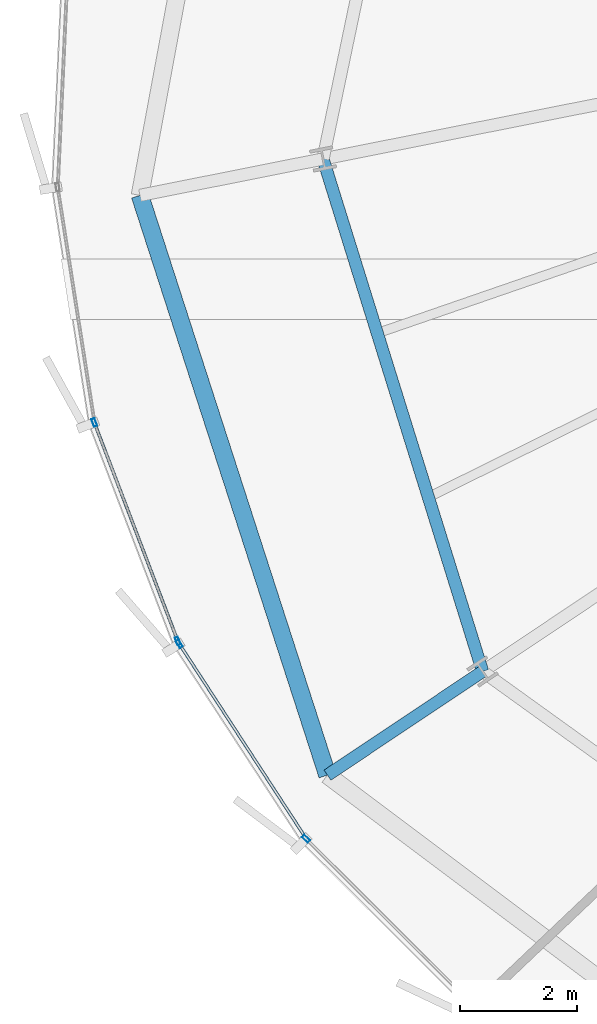
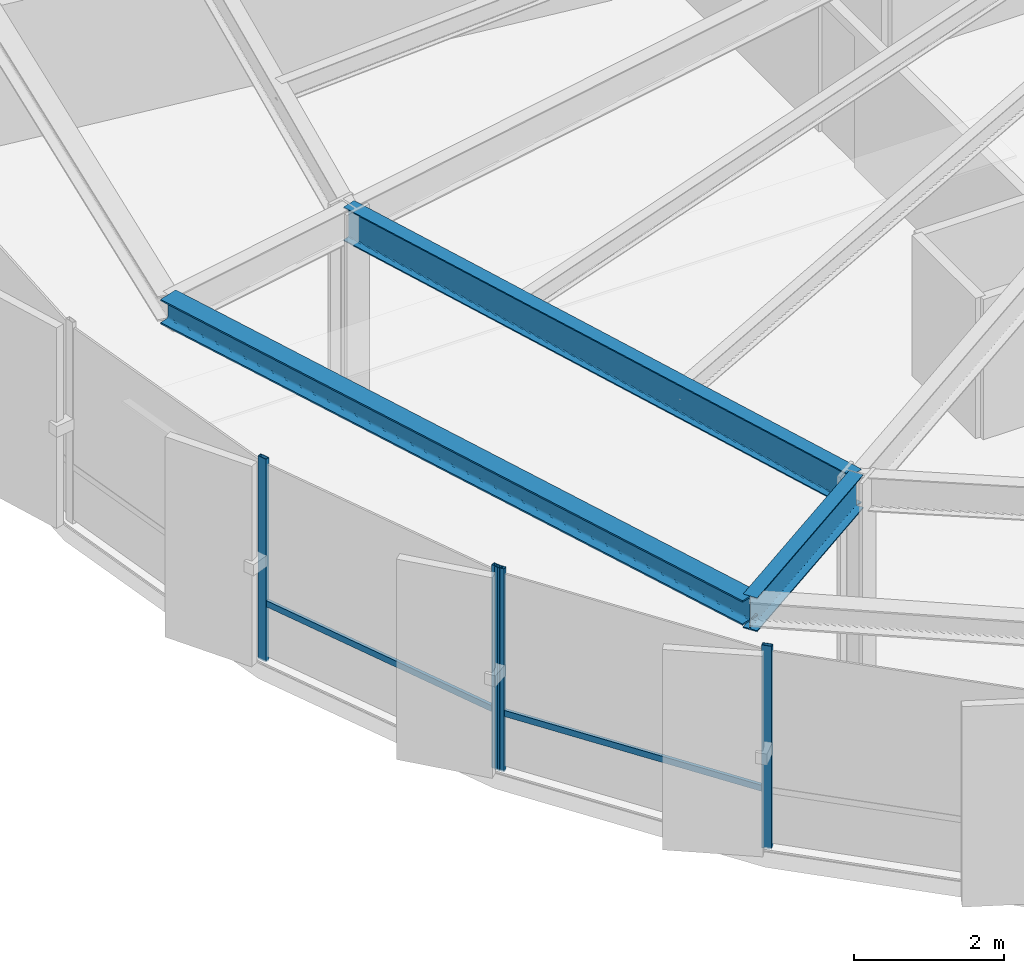
# One storey, part 3 of 36: 6 members, 3 beams, 2 elements without a shape of their own.
"""IFC4 building model written with IfcOpenShell, lengths in metres."""

from ifc_helpers import new_model, si_unit, direction, frame, origin, origin_2d, place, context, subcontext, project, spatial, hollow_rectangle, i_section, extrude, source, transform, mapped, material, layer, layer_set, material_profile, profile_set, type_object, element, aggregate, save


model = new_model("IFC4")

# Units and contexts
model_context = context("Model", 3, precision=1e-05, world=origin(), true_north=direction((0.0, 1.0)))
body_context = subcontext(model_context, "Body", "Model", "MODEL_VIEW")
ifc_project = project(units=[si_unit("LENGTHUNIT", "METRE"), si_unit("AREAUNIT", "SQUARE_METRE"), si_unit("VOLUMEUNIT", "CUBIC_METRE"), si_unit("PLANEANGLEUNIT", "RADIAN"), si_unit("MASSUNIT", "GRAM", prefix="KILO"), si_unit("THERMODYNAMICTEMPERATUREUNIT", "KELVIN")], contexts=[model_context])

# Site, building, storey
site_placement = place(None, origin())
site = spatial("IfcSite", under=ifc_project, at=site_placement, CompositionType="ELEMENT")
building_placement = place(site_placement, origin())
building = spatial("IfcBuilding", under=site, at=building_placement, Name="Kethvar Cultural Tower", CompositionType="ELEMENT")
storey_placement = place(building_placement, frame((0.0, 0.0, 143.0)))
storey = spatial("IfcBuildingStorey", under=building, at=storey_placement, Name="L36", CompositionType="ELEMENT", Elevation=143.0)

# Beams
ifc_material_1 = material(Name="Steel S355J2", Category="steel")
ifc_material_profile_1 = material_profile(ifc_material_1, i_section(OverallWidth=0.2099609375, OverallDepth=0.550048828125, WebThickness=0.010986328125, FlangeThickness=0.01708984375, FilletRadius=0.02392578125, at=origin_2d()), Name="Steel S355J2 — IPE550")
ifc_profile_set_1 = profile_set([ifc_material_profile_1], Name="Steel S355J2 — IPE550")
beam_type_1 = type_object("IfcBeamType", Name="BM-IPE550", PredefinedType="BEAM", material=ifc_profile_set_1)
shared_shape_1 = source(origin(), body_context, "Body", "SweptSolid", [
    extrude(i_section(OverallWidth=0.2099609375, OverallDepth=0.550048828125, WebThickness=0.010986328125, FlangeThickness=0.01708984375, FilletRadius=0.02392578125, at=origin_2d()), origin(), (0.0, 0.0, 1.0), 3.199951171875),
])
beam_1_placement = place(storey_placement, frame((26.920654296875, 14.51708984375, 3.02294921875), z_axis=(-0.831462943996, -0.555580212716, 0.0), x_axis=(0.555580212716, -0.831462943996, 0.0)))
element("IfcBeam", 1, at=beam_1_placement, inside=storey, type_object=beam_type_1, Name="L36 Perimeter Cantilever Beam RC-10", PredefinedType="BEAM", context=body_context, shape_type="MappedRepresentation", body=[
    mapped(shared_shape_1, transform((0.0, 0.0, 0.0), scale=1.0)),
])
shared_shape_2 = source(origin(), body_context, "Body", "SweptSolid", [
    extrude(i_section(OverallWidth=0.2099609375, OverallDepth=0.550048828125, WebThickness=0.010986328125, FlangeThickness=0.01708984375, FilletRadius=0.02392578125, at=origin_2d()), origin(), (0.0, 0.0, 1.0), 9.20068359375),
])
beam_2_placement = place(storey_placement, frame((24.185302734375, 23.3017578125, 3.02294921875), z_axis=(0.297298800285, -0.954784490526, 0.0), x_axis=(0.954784490526, 0.297298800285, 0.0)))
element("IfcBeam", 2, at=beam_2_placement, inside=storey, type_object=beam_type_1, Name="L36 Column Ring Tie Beam CR-09", PredefinedType="BEAM", context=body_context, shape_type="MappedRepresentation", body=[
    mapped(shared_shape_2, transform((0.0, 0.0, 0.0), scale=1.0)),
])
ifc_material_profile_2 = material_profile(ifc_material_1, i_section(OverallWidth=0.300048828125, OverallDepth=0.39990234375, WebThickness=0.013427734375, FlangeThickness=0.02392578125, FilletRadius=0.027099609375, at=origin_2d()), Name="Steel S355J2 — HEB400")
ifc_profile_set_2 = profile_set([ifc_material_profile_2], Name="Steel S355J2 — HEB400")
beam_type_2 = type_object("IfcBeamType", Name="BM-SP400", PredefinedType="SPANDREL", material=ifc_profile_set_2)
shared_shape_3 = source(origin(), body_context, "Body", "SweptSolid", [
    extrude(i_section(OverallWidth=0.300048828125, OverallDepth=0.39990234375, WebThickness=0.013427734375, FlangeThickness=0.02392578125, FilletRadius=0.027099609375, at=origin_2d()), origin(), (0.0, 0.0, 1.0), 10.44482421875),
])
beam_3_placement = place(storey_placement, frame((21.046875, 22.677490234375, 3.097900390625), z_axis=(0.307631709258, -0.951505507845, 0.0), x_axis=(0.951505507845, 0.307631709258, 0.0)))
element("IfcBeam", 3, at=beam_3_placement, inside=storey, type_object=beam_type_2, Name="L36 Perimeter Spandrel Beam SP-09", PredefinedType="SPANDREL", context=body_context, shape_type="MappedRepresentation", body=[
    mapped(shared_shape_3, transform((0.0, 0.0, 0.0), scale=1.0)),
])

# Curtain wall, members
ifc_material_2 = material(Name="Aluminium 6063-T6", Category="aluminium")
ifc_layer = layer(ifc_material_2, 0.179931640625, Name="Aluminium 6063-T6", Category="aluminium")
ifc_layer_set = layer_set([ifc_layer], Name="Aluminium 6063-T6 (180 mm)")
curtain_wall_type = type_object("IfcCurtainWallType", Name="CW-SYS-04-Z34", PredefinedType="NOTDEFINED", material=ifc_layer_set)
curtain_wall_1_placement = place(storey_placement, origin())
curtain_wall_1 = element("IfcCurtainWall", 4, at=curtain_wall_1_placement, inside=storey, type_object=curtain_wall_type, Name="L36 Curtain Wall Run 03", PredefinedType="NOTDEFINED")
ifc_material_profile_3 = material_profile(ifc_material_2, hollow_rectangle(XDim=0.06005859375, YDim=0.139892578125, WallThickness=0.0048828125, at=origin_2d()), Name="Aluminium 6063-T6 — RHS140x60x5")
ifc_profile_set_3 = profile_set([ifc_material_profile_3], Name="Aluminium 6063-T6 — RHS140x60x5")
member_type_1 = type_object("IfcMemberType", Name="CW-SYS-04-Z34-MUL", PredefinedType="MULLION", material=ifc_profile_set_3)
shared_shape_4 = source(origin(), body_context, "Body", "SweptSolid", [
    extrude(hollow_rectangle(XDim=0.06005859375, YDim=0.139892578125, WallThickness=0.0048828125, at=origin_2d()), origin(), (0.0, 0.0, 1.0), 3.300048828125),
])
member_1_placement = place(storey_placement, frame((20.264892578125, 18.783935546875, 0.0), z_axis=(0.0, 0.0, 1.0), x_axis=(0.934148426522, 0.356884739414, 0.0)))
member_1 = element("IfcMember", 5, at=member_1_placement, type_object=member_type_1, Name="CW-L36-R03 Mullion 6", PredefinedType="MULLION", context=body_context, shape_type="MappedRepresentation", body=[
    mapped(shared_shape_4, transform((0.0, 0.0, 0.0), scale=1.0)),
])
member_2_placement = place(storey_placement, frame((21.695556640625, 15.0390625, 0.0), z_axis=(0.0, 0.0, 1.0), x_axis=(0.934148426522, 0.356884739414, 0.0)))
member_2 = element("IfcMember", 6, at=member_2_placement, type_object=member_type_1, Name="CW-L36-R03 Mullion 7", PredefinedType="MULLION", context=body_context, shape_type="MappedRepresentation", body=[
    mapped(shared_shape_4, transform((0.0, 0.0, 0.0), scale=1.0)),
])

curtain_wall_2_placement = place(storey_placement, origin())
curtain_wall_2 = element("IfcCurtainWall", 7, at=curtain_wall_2_placement, inside=storey, type_object=curtain_wall_type, Name="L36 Curtain Wall Run 04", PredefinedType="NOTDEFINED")
member_3_placement = place(storey_placement, frame((21.72021484375, 14.99072265625, 0.0), z_axis=(0.0, 0.0, 1.0), x_axis=(0.837794958672, 0.545984988093, 0.0)))
member_3 = element("IfcMember", 8, at=member_3_placement, type_object=member_type_1, Name="CW-L36-R04 Mullion 1", PredefinedType="MULLION", context=body_context, shape_type="MappedRepresentation", body=[
    mapped(shared_shape_4, transform((0.0, 0.0, 0.0), scale=1.0)),
])
member_4_placement = place(storey_placement, frame((23.894287109375, 11.64990234375, 0.0), z_axis=(0.0, 0.0, 1.0), x_axis=(0.705871570679, 0.708339837725, 0.0)))
member_4 = element("IfcMember", 9, at=member_4_placement, type_object=member_type_1, Name="CW-L36-R04 Mullion 2", PredefinedType="MULLION", context=body_context, shape_type="MappedRepresentation", body=[
    mapped(shared_shape_4, transform((0.0, 0.0, 0.0), scale=1.0)),
])

# Member
ifc_material_profile_4 = material_profile(ifc_material_2, hollow_rectangle(XDim=0.050048828125, YDim=0.10009765625, WallThickness=0.00390625, at=origin_2d()), Name="Aluminium 6063-T6 — RHS100x50x4")
ifc_profile_set_4 = profile_set([ifc_material_profile_4], Name="Aluminium 6063-T6 — RHS100x50x4")
member_type_2 = type_object("IfcMemberType", Name="CW-SYS-04-Z34-TRN", PredefinedType="USERDEFINED", material=ifc_profile_set_4)
shared_shape_5 = source(origin(), body_context, "Body", "SweptSolid", [
    extrude(hollow_rectangle(XDim=0.050048828125, YDim=0.10009765625, WallThickness=0.00390625, at=origin_2d()), origin(), (0.0, 0.0, 1.0), 3.961669921875),
])
member_5_placement = place(storey_placement, frame((20.2802734375, 18.74365234375, 0.949951171875), z_axis=(0.356884431877, -0.934148544014, 0.0), x_axis=(0.934148544014, 0.356884431877, 0.0)))
member_5 = element("IfcMember", 10, at=member_5_placement, type_object=member_type_2, Name="CW-L36-R03 Transom 6", ObjectType="TRANSOM", PredefinedType="USERDEFINED", context=body_context, shape_type="MappedRepresentation", body=[
    mapped(shared_shape_5, transform((0.0, 0.0, 0.0), scale=1.0)),
])

aggregate(curtain_wall_1, [member_1, member_2, member_5])

shared_shape_6 = source(origin(), body_context, "Body", "SweptSolid", [
    extrude(hollow_rectangle(XDim=0.050048828125, YDim=0.10009765625, WallThickness=0.00390625, at=origin_2d()), origin(), (0.0, 0.0, 1.0), 3.96142578125),
])
member_6_placement = place(storey_placement, frame((21.722412109375, 14.9873046875, 0.949951171875), z_axis=(0.546023370717, -0.837769943738, 0.0), x_axis=(0.837769943738, 0.546023370717, 0.0)))
member_6 = element("IfcMember", 11, at=member_6_placement, type_object=member_type_2, Name="CW-L36-R04 Transom 1", ObjectType="TRANSOM", PredefinedType="USERDEFINED", context=body_context, shape_type="MappedRepresentation", body=[
    mapped(shared_shape_6, transform((0.0, 0.0, 0.0), scale=1.0)),
])

aggregate(curtain_wall_2, [member_3, member_4, member_6])

save(model, "model.ifc")
